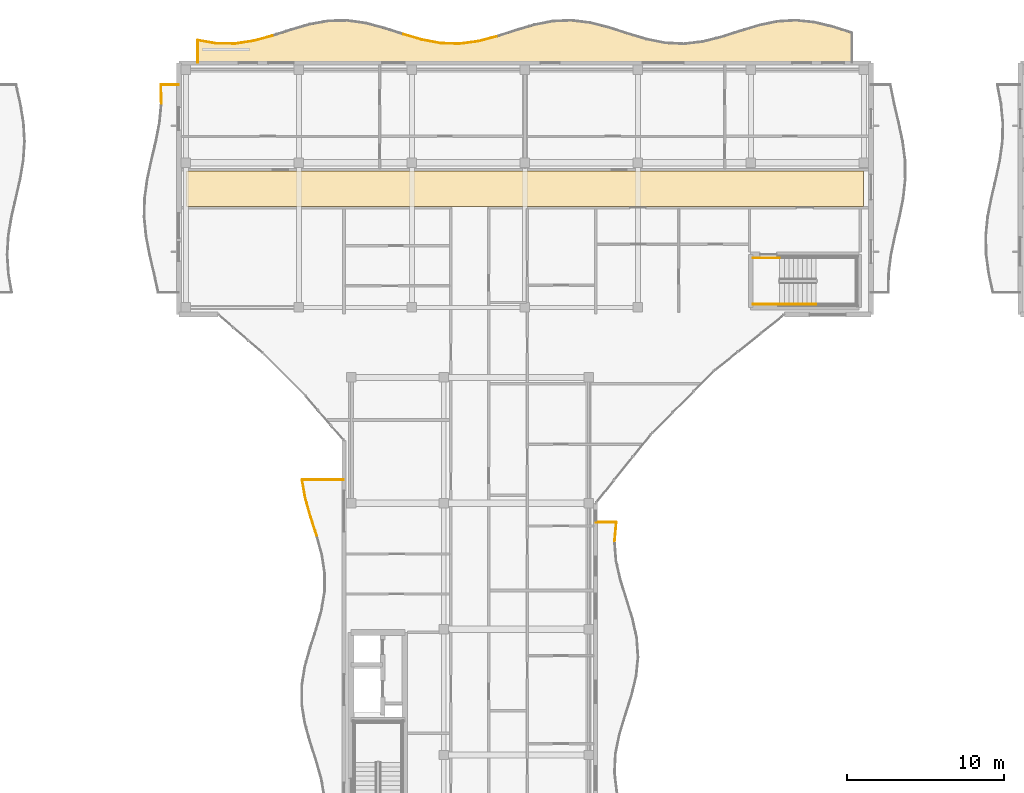
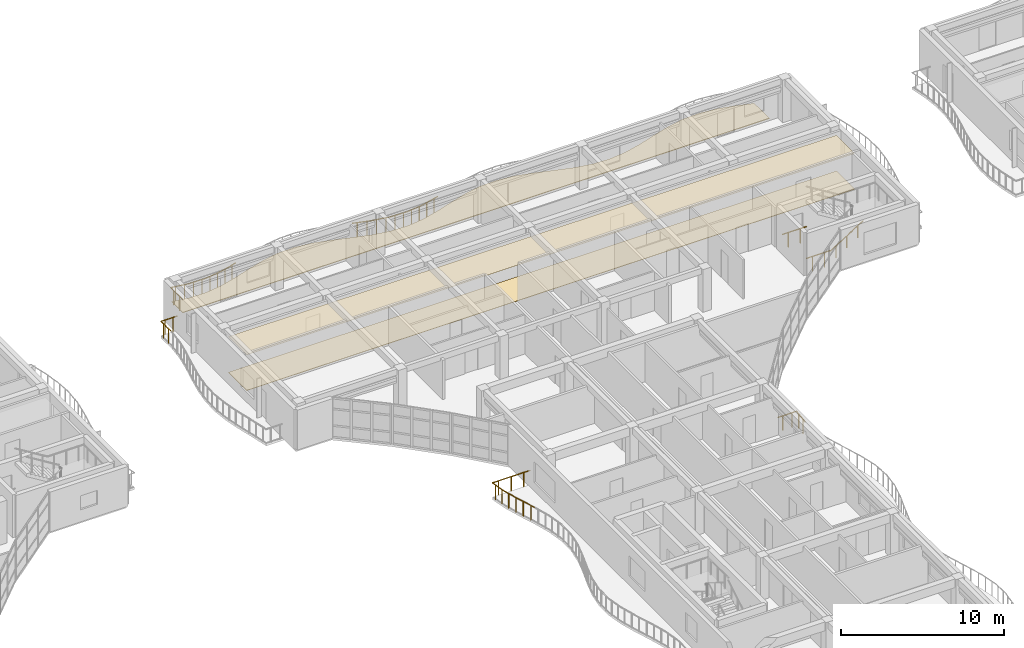
# One storey, part 66 of 76: 21 railings, 3 coverings.
"""IFC4 building model written with IfcOpenShell, lengths in metres."""

from ifc_helpers import new_model, si_unit, direction, frame, origin, origin_2d, place, context, subcontext, project, spatial, polyline, circle, outline, extrude, material, layer, layer_set, type_object, element, save


model = new_model("IFC4")

# Units and contexts
model_context = context("Model", 3, precision=1e-05, world=origin(), true_north=direction((0.0, 1.0)))
body_context = subcontext(model_context, "Body", "Model", "MODEL_VIEW")
ifc_project = project(units=[si_unit("LENGTHUNIT", "METRE"), si_unit("AREAUNIT", "SQUARE_METRE"), si_unit("VOLUMEUNIT", "CUBIC_METRE"), si_unit("PLANEANGLEUNIT", "RADIAN"), si_unit("MASSUNIT", "GRAM", prefix="KILO")], contexts=[model_context])

# Site, building, storey
site_placement = place(None, origin())
site = spatial("IfcSite", under=ifc_project, at=site_placement, CompositionType="ELEMENT")
building_placement = place(site_placement, origin())
building = spatial("IfcBuilding", under=site, at=building_placement, Name="Keldmere Railside Commons", CompositionType="ELEMENT")
storey_placement = place(building_placement, frame((0.0, 0.0, 13.760009765625)))
storey = spatial("IfcBuildingStorey", under=building, at=storey_placement, Name="L04", CompositionType="ELEMENT", Elevation=13.760009765625)

# Railings
ifc_material_1 = material(Name="Steel F-24 (S235)", Category="steel")
railing_type_1 = type_object("IfcRailingType", Name="Balcony & Terrace Steel Balustrade 1100", PredefinedType="BALUSTRADE", material=ifc_material_1)
railing_1_placement = place(storey_placement, frame((94.699951171875, 116.0, 0.0)))
element("IfcRailing", 1, at=railing_1_placement, inside=storey, type_object=railing_type_1, Name="GR-1 GRD-L04-2237", PredefinedType="BALUSTRADE", context=body_context, shape_type="SweptSolid", body=[
    extrude(circle(Radius=0.02392578125, at=origin_2d()), frame((0.0, 0.0, 1.076171875), z_axis=(0.0, 1.0, 0.0), x_axis=(-1.0, 0.0, 0.0)), (0.0, 0.0, 1.0), 1.43408203125),
    extrude(circle(Radius=0.02099609375, at=origin_2d()), frame((0.0, 0.3583984375, 0.0)), (0.0, 0.0, 1.0), 1.048095703125),
    extrude(circle(Radius=0.02099609375, at=origin_2d()), frame((0.0, 1.07568359375, 0.0)), (0.0, 0.0, 1.0), 1.048095703125),
])
railing_2_placement = place(storey_placement, frame((94.699951171875, 117.43408203125, 0.0)))
element("IfcRailing", 2, at=railing_2_placement, inside=storey, type_object=railing_type_1, Name="GR-1 GRD-L04-2238", PredefinedType="BALUSTRADE", context=body_context, shape_type="SweptSolid", body=[
    extrude(circle(Radius=0.02392578125, at=origin_2d()), frame((0.0, 0.0, 1.076171875), z_axis=(0.985880258303, -0.167451832741, 0.0), x_axis=(0.167451832741, 0.985880258303, 0.0)), (0.0, 0.0, 1.0), 1.205810546875),
    extrude(circle(Radius=0.02099609375, at=origin_2d()), frame((0.297119140625, -0.050537109375, 0.0)), (0.0, 0.0, 1.0), 1.048095703125),
    extrude(circle(Radius=0.02099609375, at=origin_2d()), frame((0.8916015625, -0.1513671875, 0.0)), (0.0, 0.0, 1.0), 1.048095703125),
])
railing_3_placement = place(storey_placement, frame((95.888671875, 117.232177734375, 0.0)))
element("IfcRailing", 3, at=railing_3_placement, inside=storey, type_object=railing_type_1, Name="GR-1 GRD-L04-2239", PredefinedType="BALUSTRADE", context=body_context, shape_type="SweptSolid", body=[
    extrude(circle(Radius=0.02392578125, at=origin_2d()), frame((0.0, 0.0, 1.076171875), z_axis=(0.999938480003, -0.011092168841, 0.0), x_axis=(0.011092168841, 0.999938480003, 0.0)), (0.0, 0.0, 1.0), 1.1884765625),
    extrude(circle(Radius=0.02099609375, at=origin_2d()), frame((0.297119140625, -0.00341796875, 0.0)), (0.0, 0.0, 1.0), 1.048095703125),
    extrude(circle(Radius=0.02099609375, at=origin_2d()), frame((0.891357421875, -0.009765625, 0.0)), (0.0, 0.0, 1.0), 1.048095703125),
])
railing_4_placement = place(storey_placement, frame((97.0771484375, 117.218994140625, 0.0)))
element("IfcRailing", 4, at=railing_4_placement, inside=storey, type_object=railing_type_1, Name="GR-1 GRD-L04-2240", PredefinedType="BALUSTRADE", context=body_context, shape_type="SweptSolid", body=[
    extrude(circle(Radius=0.02392578125, at=origin_2d()), frame((0.0, 0.0, 1.076171875), z_axis=(0.988852757822, 0.148896686829, 0.0), x_axis=(-0.148896686829, 0.988852757822, 0.0)), (0.0, 0.0, 1.0), 1.201904296875),
    extrude(circle(Radius=0.02099609375, at=origin_2d()), frame((0.297119140625, 0.044677734375, 0.0)), (0.0, 0.0, 1.0), 1.048095703125),
    extrude(circle(Radius=0.02099609375, at=origin_2d()), frame((0.891357421875, 0.13427734375, 0.0)), (0.0, 0.0, 1.0), 1.048095703125),
])
railing_5_placement = place(storey_placement, frame((98.265625, 117.39794921875, 0.0)))
element("IfcRailing", 5, at=railing_5_placement, inside=storey, type_object=railing_type_1, Name="GR-1 GRD-L04-2241", PredefinedType="BALUSTRADE", context=body_context, shape_type="SweptSolid", body=[
    extrude(circle(Radius=0.02392578125, at=origin_2d()), frame((0.0, 0.0, 1.076171875), z_axis=(0.964759248557, 0.263134171716, 0.0), x_axis=(-0.263134171716, 0.964759248557, 0.0)), (0.0, 0.0, 1.0), 1.232177734375),
    extrude(circle(Radius=0.02099609375, at=origin_2d()), frame((0.297119140625, 0.0810546875, 0.0)), (0.0, 0.0, 1.0), 1.048095703125),
    extrude(circle(Radius=0.02099609375, at=origin_2d()), frame((0.8916015625, 0.2431640625, 0.0)), (0.0, 0.0, 1.0), 1.048095703125),
])
railing_6_placement = place(storey_placement, frame((107.7744140625, 117.81591796875, 0.0)))
element("IfcRailing", 6, at=railing_6_placement, inside=storey, type_object=railing_type_1, Name="GR-1 GRD-L04-2249", PredefinedType="BALUSTRADE", context=body_context, shape_type="SweptSolid", body=[
    extrude(circle(Radius=0.02392578125, at=origin_2d()), frame((0.0, 0.0, 1.076171875), z_axis=(0.959619369608, -0.28130173386, 0.0), x_axis=(0.28130173386, 0.959619369608, 0.0)), (0.0, 0.0, 1.0), 1.238525390625),
    extrude(circle(Radius=0.02099609375, at=origin_2d()), frame((0.297119140625, -0.087158203125, 0.0)), (0.0, 0.0, 1.0), 1.048095703125),
    extrude(circle(Radius=0.02099609375, at=origin_2d()), frame((0.891357421875, -0.26123046875, 0.0)), (0.0, 0.0, 1.0), 1.048095703125),
])
railing_7_placement = place(storey_placement, frame((108.962890625, 117.467529296875, 0.0)))
element("IfcRailing", 7, at=railing_7_placement, inside=storey, type_object=railing_type_1, Name="GR-1 GRD-L04-2250", PredefinedType="BALUSTRADE", context=body_context, shape_type="SweptSolid", body=[
    extrude(circle(Radius=0.02392578125, at=origin_2d()), frame((0.0, 0.0, 1.076171875), z_axis=(0.983118223598, -0.182971468895, 0.0), x_axis=(0.182971468895, 0.983118223598, 0.0)), (0.0, 0.0, 1.0), 1.208984375),
    extrude(circle(Radius=0.02099609375, at=origin_2d()), frame((0.297119140625, -0.05517578125, 0.0)), (0.0, 0.0, 1.0), 1.048095703125),
    extrude(circle(Radius=0.02099609375, at=origin_2d()), frame((0.891357421875, -0.166015625, 0.0)), (0.0, 0.0, 1.0), 1.048095703125),
])
railing_8_placement = place(storey_placement, frame((110.1513671875, 117.246337890625, 0.0)))
element("IfcRailing", 8, at=railing_8_placement, inside=storey, type_object=railing_type_1, Name="GR-1 GRD-L04-2251", PredefinedType="BALUSTRADE", context=body_context, shape_type="SweptSolid", body=[
    extrude(circle(Radius=0.02392578125, at=origin_2d()), frame((0.0, 0.0, 1.076171875), z_axis=(0.999538349759, -0.030382352796, 0.0), x_axis=(0.030382352796, 0.999538349759, 0.0)), (0.0, 0.0, 1.0), 1.189208984375),
    extrude(circle(Radius=0.02099609375, at=origin_2d()), frame((0.297119140625, -0.009033203125, 0.0)), (0.0, 0.0, 1.0), 1.048095703125),
    extrude(circle(Radius=0.02099609375, at=origin_2d()), frame((0.8916015625, -0.027099609375, 0.0)), (0.0, 0.0, 1.0), 1.048095703125),
])
railing_9_placement = place(storey_placement, frame((111.340087890625, 117.210205078125, 0.0)))
element("IfcRailing", 9, at=railing_9_placement, inside=storey, type_object=railing_type_1, Name="GR-1 GRD-L04-2252", PredefinedType="BALUSTRADE", context=body_context, shape_type="SweptSolid", body=[
    extrude(circle(Radius=0.02392578125, at=origin_2d()), frame((0.0, 0.0, 1.076171875), z_axis=(0.99125633214, 0.131950308798, 0.0), x_axis=(-0.131950308798, 0.99125633214, 0.0)), (0.0, 0.0, 1.0), 1.198974609375),
    extrude(circle(Radius=0.02099609375, at=origin_2d()), frame((0.297119140625, 0.03955078125, 0.0)), (0.0, 0.0, 1.0), 1.048095703125),
    extrude(circle(Radius=0.02099609375, at=origin_2d()), frame((0.891357421875, 0.11865234375, 0.0)), (0.0, 0.0, 1.0), 1.048095703125),
])
railing_10_placement = place(storey_placement, frame((112.528564453125, 117.368408203125, 0.0)))
element("IfcRailing", 10, at=railing_10_placement, inside=storey, type_object=railing_type_1, Name="GR-1 GRD-L04-2253", PredefinedType="BALUSTRADE", context=body_context, shape_type="SweptSolid", body=[
    extrude(circle(Radius=0.02392578125, at=origin_2d()), frame((0.0, 0.0, 1.076171875), z_axis=(0.967369904059, 0.253368247263, 0.0), x_axis=(-0.253368247263, 0.967369904059, 0.0)), (0.0, 0.0, 1.0), 1.228515625),
    extrude(circle(Radius=0.02099609375, at=origin_2d()), frame((0.297119140625, 0.077880859375, 0.0)), (0.0, 0.0, 1.0), 1.048095703125),
    extrude(circle(Radius=0.02099609375, at=origin_2d()), frame((0.891357421875, 0.2333984375, 0.0)), (0.0, 0.0, 1.0), 1.048095703125),
])
railing_11_placement = place(storey_placement, frame((121.2001953125, 85.574951171875, 0.0)))
element("IfcRailing", 11, at=railing_11_placement, inside=storey, type_object=railing_type_1, Name="GR-1 GRD-L04-2298", PredefinedType="BALUSTRADE", context=body_context, shape_type="SweptSolid", body=[
    extrude(circle(Radius=0.02392578125, at=origin_2d()), frame((0.0, 0.0, 1.076171875), z_axis=(0.089515628414, 0.995985417699, 0.0), x_axis=(-0.995985417699, 0.089515628414, 0.0)), (0.0, 0.0, 1.0), 1.22998046875),
    extrude(circle(Radius=0.02099609375, at=origin_2d()), frame((0.027587890625, 0.30615234375, 0.0)), (0.0, 0.0, 1.0), 1.048095703125),
    extrude(circle(Radius=0.02099609375, at=origin_2d()), frame((0.08251953125, 0.9189453125, 0.0)), (0.0, 0.0, 1.0), 1.048095703125),
])
railing_12_placement = place(storey_placement, frame((121.310302734375, 86.800048828125, 0.0)))
element("IfcRailing", 12, at=railing_12_placement, inside=storey, type_object=railing_type_1, Name="GR-1 GRD-L04-2299", PredefinedType="BALUSTRADE", context=body_context, shape_type="SweptSolid", body=[
    extrude(circle(Radius=0.02392578125, at=origin_2d()), frame((0.0, 0.0, 1.076171875), z_axis=(-1.0, 0.0, 0.0), x_axis=(0.0, -1.0, 0.0)), (0.0, 0.0, 1.0), 1.310302734375),
    extrude(circle(Radius=0.02099609375, at=origin_2d()), frame((-0.32763671875, 0.0, 0.0)), (0.0, 0.0, 1.0), 1.048095703125),
    extrude(circle(Radius=0.02099609375, at=origin_2d()), frame((-0.982666015625, 0.0, 0.0)), (0.0, 0.0, 1.0), 1.048095703125),
])
railing_13_placement = place(storey_placement, frame((102.271240234375, 85.933349609375, 0.0)))
element("IfcRailing", 13, at=railing_13_placement, inside=storey, type_object=railing_type_1, Name="GR-1 GRD-L04-2325", PredefinedType="BALUSTRADE", context=body_context, shape_type="SweptSolid", body=[
    extrude(circle(Radius=0.02392578125, at=origin_2d()), frame((0.0, 0.0, 1.076171875), z_axis=(-0.307539355173, 0.951535361939, 0.0), x_axis=(-0.951535361939, -0.307539355173, 0.0)), (0.0, 0.0, 1.0), 1.24951171875),
    extrude(circle(Radius=0.02099609375, at=origin_2d()), frame((-0.09619140625, 0.29736328125, 0.0)), (0.0, 0.0, 1.0), 1.048095703125),
    extrude(circle(Radius=0.02099609375, at=origin_2d()), frame((-0.2880859375, 0.8916015625, 0.0)), (0.0, 0.0, 1.0), 1.048095703125),
])
railing_14_placement = place(storey_placement, frame((101.886962890625, 87.122314453125, 0.0)))
element("IfcRailing", 14, at=railing_14_placement, inside=storey, type_object=railing_type_1, Name="GR-1 GRD-L04-2326", PredefinedType="BALUSTRADE", context=body_context, shape_type="SweptSolid", body=[
    extrude(circle(Radius=0.02392578125, at=origin_2d()), frame((0.0, 0.0, 1.076171875), z_axis=(-0.276154724924, 0.961113192034, 0.0), x_axis=(-0.961113192034, -0.276154724924, 0.0)), (0.0, 0.0, 1.0), 1.23681640625),
    extrude(circle(Radius=0.02099609375, at=origin_2d()), frame((-0.08544921875, 0.297119140625, 0.0)), (0.0, 0.0, 1.0), 1.048095703125),
    extrude(circle(Radius=0.02099609375, at=origin_2d()), frame((-0.256103515625, 0.8916015625, 0.0)), (0.0, 0.0, 1.0), 1.048095703125),
])
railing_15_placement = place(storey_placement, frame((101.54541015625, 88.31103515625, 0.0)))
element("IfcRailing", 15, at=railing_15_placement, inside=storey, type_object=railing_type_1, Name="GR-1 GRD-L04-2327", PredefinedType="BALUSTRADE", context=body_context, shape_type="SweptSolid", body=[
    extrude(circle(Radius=0.02392578125, at=origin_2d()), frame((0.0, 0.0, 1.076171875), z_axis=(-0.172919954438, 0.984935880835, 0.0), x_axis=(-0.984935880835, -0.172919954438, 0.0)), (0.0, 0.0, 1.0), 1.20703125),
    extrude(circle(Radius=0.02099609375, at=origin_2d()), frame((-0.05224609375, 0.29736328125, 0.0)), (0.0, 0.0, 1.0), 1.048095703125),
    extrude(circle(Radius=0.02099609375, at=origin_2d()), frame((-0.156494140625, 0.8916015625, 0.0)), (0.0, 0.0, 1.0), 1.048095703125),
])
railing_16_placement = place(storey_placement, frame((101.336669921875, 89.5, 0.0)))
element("IfcRailing", 16, at=railing_16_placement, inside=storey, type_object=railing_type_1, Name="GR-1 GRD-L04-2328", PredefinedType="BALUSTRADE", context=body_context, shape_type="SweptSolid", body=[
    extrude(circle(Radius=0.02392578125, at=origin_2d()), frame((0.0, 0.0, 1.076171875), z_axis=(1.0, 0.0, 0.0), x_axis=(0.0, 1.0, 0.0)), (0.0, 0.0, 1.0), 2.663330078125),
    extrude(circle(Radius=0.02099609375, at=origin_2d()), frame((0.44384765625, 0.0, 0.0)), (0.0, 0.0, 1.0), 1.048095703125),
    extrude(circle(Radius=0.02099609375, at=origin_2d()), frame((1.33154296875, 0.0, 0.0)), (0.0, 0.0, 1.0), 1.048095703125),
    extrude(circle(Radius=0.02099609375, at=origin_2d()), frame((2.219482421875, 0.0, 0.0)), (0.0, 0.0, 1.0), 1.048095703125),
])
railing_17_placement = place(storey_placement, frame((92.39306640625, 113.39990234375, 0.0)))
element("IfcRailing", 17, at=railing_17_placement, inside=storey, type_object=railing_type_1, Name="GR-1 GRD-L04-2353", PredefinedType="BALUSTRADE", context=body_context, shape_type="SweptSolid", body=[
    extrude(circle(Radius=0.02392578125, at=origin_2d()), frame((0.0, 0.0, 1.076171875), z_axis=(-0.0241995831, 0.999707147208, 0.0), x_axis=(-0.999707147208, -0.0241995831, 0.0)), (0.0, 0.0, 1.0), 1.200439453125),
    extrude(circle(Radius=0.02099609375, at=origin_2d()), frame((-0.00732421875, 0.300048828125, 0.0)), (0.0, 0.0, 1.0), 1.048095703125),
    extrude(circle(Radius=0.02099609375, at=origin_2d()), frame((-0.021728515625, 0.900146484375, 0.0)), (0.0, 0.0, 1.0), 1.048095703125),
])
railing_18_placement = place(storey_placement, frame((92.364013671875, 114.60009765625, 0.0)))
element("IfcRailing", 18, at=railing_18_placement, inside=storey, type_object=railing_type_1, Name="GR-1 GRD-L04-2354", PredefinedType="BALUSTRADE", context=body_context, shape_type="SweptSolid", body=[
    extrude(circle(Radius=0.02392578125, at=origin_2d()), frame((0.0, 0.0, 1.076171875), z_axis=(1.0, 0.0, 0.0), x_axis=(0.0, 1.0, 0.0)), (0.0, 0.0, 1.0), 1.135986328125),
    extrude(circle(Radius=0.02099609375, at=origin_2d()), frame((0.283935546875, 0.0, 0.0)), (0.0, 0.0, 1.0), 1.048095703125),
    extrude(circle(Radius=0.02099609375, at=origin_2d()), frame((0.85205078125, 0.0, 0.0)), (0.0, 0.0, 1.0), 1.048095703125),
])

# Covering
ifc_material_2 = material(Name="Polished Terrazzo Tile Flooring", Category="concrete")
ifc_layer_1 = layer(ifc_material_2, 0.030029296875, Name="Polished Terrazzo Floor Finish 30")
ifc_layer_set_1 = layer_set([ifc_layer_1], Name="Polished Terrazzo Tile Flooring")
covering_type_1 = type_object("IfcCoveringType", Name="Polished Terrazzo Floor Finish 30", PredefinedType="FLOORING", material=ifc_layer_set_1)
covering_1_placement = place(storey_placement, origin())
element("IfcCovering", 19, at=covering_1_placement, inside=storey, type_object=covering_type_1, Name="FLR-1 Corridor Terrazzo B-L04", PredefinedType="FLOORING", context=body_context, shape_type="SweptSolid", body=[
    extrude(outline(polyline([(93.97998046875, 106.8798828125), (137.02001953125, 106.8798828125), (137.02001953125, 109.1201171875), (93.97998046875, 109.1201171875), (93.97998046875, 106.8798828125)])), origin(), (0.0, 0.0, 1.0), 0.030029296875),
])

# Railings
railing_type_2 = type_object("IfcRailingType", Name="Stair Well Steel Guardrail 1100", PredefinedType="BALUSTRADE", material=ifc_material_1)
for number, where, name in (
    (20, (130.0, 100.64990234375, 0.0), "L04 ST-B2 stair guard 8"),
    (21, (130.0, 103.60009765625, 0.0), "L04 ST-B2 stair guard 9"),
):
    element("IfcRailing", number, at=place(storey_placement, frame(where)), inside=storey, type_object=railing_type_2, Name=name, PredefinedType="BALUSTRADE", context=body_context, shape_type="SweptSolid", body=[
        extrude(circle(Radius=0.02392578125, at=origin_2d()), frame((0.0, 0.0, 1.076171875), z_axis=(1.0, 0.0, 0.0), x_axis=(0.0, 1.0, 0.0)), (0.0, 0.0, 1.0), 1.699951171875),
        extrude(circle(Radius=0.02099609375, at=origin_2d()), frame((0.425048828125, 0.0, 0.0)), (0.0, 0.0, 1.0), 1.048095703125),
        extrude(circle(Radius=0.02099609375, at=origin_2d()), frame((1.27490234375, 0.0, 0.0)), (0.0, 0.0, 1.0), 1.048095703125),
    ])

# Covering
ifc_material_3 = material(Name="Acoustic Mineral-Fibre Gypsum Ceiling", Category="gypsum")
ifc_layer_2 = layer(ifc_material_3, 0.02490234375, Name="Suspended Acoustic Ceiling 25")
ifc_layer_set_2 = layer_set([ifc_layer_2], Name="Acoustic Mineral-Fibre Gypsum Ceiling")
covering_type_2 = type_object("IfcCoveringType", Name="Suspended Acoustic Ceiling 25", PredefinedType="CEILING", material=ifc_layer_set_2)
covering_2_placement = place(storey_placement, frame((0.0, 0.0, 2.675048828125)))
element("IfcCovering", 22, at=covering_2_placement, inside=storey, type_object=covering_type_2, Name="CLG-1 Corridor Ceiling B-L04", PredefinedType="CEILING", context=body_context, shape_type="SweptSolid", body=[
    extrude(outline(polyline([(93.97998046875, 106.8798828125), (137.02001953125, 106.8798828125), (137.02001953125, 109.1201171875), (93.97998046875, 109.1201171875), (93.97998046875, 106.8798828125)])), origin(), (0.0, 0.0, 1.0), 0.02490234375),
])

# Railing
railing_type_3 = type_object("IfcRailingType", Name="Wall-Mounted Tubular Steel Handrail 900", PredefinedType="HANDRAIL", material=ifc_material_1)
railing_19_placement = place(storey_placement, frame((131.699951171875, 100.64990234375, 0.177734375)))
element("IfcRailing", 23, at=railing_19_placement, inside=storey, type_object=railing_type_3, Name="L04 ST-B2 stair handrail 1", PredefinedType="HANDRAIL", context=body_context, shape_type="SweptSolid", body=[
    extrude(circle(Radius=0.02392578125, at=origin_2d()), frame((0.0, 0.0, 0.8759765625), z_axis=(0.852538067394, 0.0, 0.522665135287), x_axis=(0.0, 1.0, 0.0)), (0.0, 0.0, 1.0), 2.721435546875),
    extrude(circle(Radius=0.02099609375, at=origin_2d()), frame((0.38671875, 0.0, 0.237060546875)), (0.0, 0.0, 1.0), 0.847900390625),
    extrude(circle(Radius=0.02099609375, at=origin_2d()), frame((1.16015625, 0.0, 0.711181640625)), (0.0, 0.0, 1.0), 0.847900390625),
    extrude(circle(Radius=0.02099609375, at=origin_2d()), frame((1.933349609375, 0.0, 1.185302734375)), (0.0, 0.0, 1.0), 0.847900390625),
])

# Covering
ifc_material_4 = material(Name="White Precast Concrete C35/45", Category="concrete")
ifc_layer_3 = layer(ifc_material_4, 0.044921875, Name="White Architectural Balcony Ribbon Cladding 45")
ifc_layer_set_3 = layer_set([ifc_layer_3], Name="White Precast Concrete C35/45")
covering_type_3 = type_object("IfcCoveringType", Name="White Architectural Balcony Ribbon Cladding 45", PredefinedType="FLOORING", material=ifc_layer_set_3)
covering_3_placement = place(storey_placement, origin())
element("IfcCovering", 24, at=covering_3_placement, inside=storey, type_object=covering_type_3, Name="CLG-WB B L04 N White Balcony Ribbon", PredefinedType="FLOORING", context=body_context, shape_type="SweptSolid", body=[
    extrude(outline(polyline([(136.260009765625, 116.0400390625), (136.260009765625, 117.87548828125), (135.1005859375, 118.243408203125), (133.916015625, 118.531982421875), (132.7333984375, 118.65771484375), (131.551025390625, 118.587646484375), (130.366943359375, 118.340087890625), (129.180419921875, 117.9794921875), (127.9921875, 117.600341796875), (127.98974609375, 117.599609375), (126.801025390625, 117.302490234375), (126.7958984375, 117.301513671875), (125.607421875, 117.164306640625), (125.604248046875, 117.1640625), (125.600830078125, 117.1640625), (124.412353515625, 117.22314453125), (124.4091796875, 117.223388671875), (124.406494140625, 117.22412109375), (123.2177734375, 117.463623046875), (123.214111328125, 117.464599609375), (122.025634765625, 117.82177734375), (122.02490234375, 117.822021484375), (120.83740234375, 118.202392578125), (119.652587890625, 118.506103515625), (118.4697265625, 118.653076171875), (117.28759765625, 118.605712890625), (116.103759765625, 118.3759765625), (114.91748046875, 118.02392578125), (113.729248046875, 117.6416015625), (113.727294921875, 117.64111328125), (112.538818359375, 117.329833984375), (112.533935546875, 117.328857421875), (111.34521484375, 117.170654296875), (111.342041015625, 117.17041015625), (111.3388671875, 117.170166015625), (110.150146484375, 117.206298828125), (110.147216796875, 117.20654296875), (110.14404296875, 117.20703125), (108.95556640625, 117.42822265625), (108.95166015625, 117.42919921875), (107.76318359375, 117.77734375), (107.761962890625, 117.777587890625), (106.574462890625, 118.160888671875), (105.38916015625, 118.477783203125), (104.206298828125, 118.645751953125), (103.02392578125, 118.62109375), (101.840576171875, 118.410400390625), (100.654541015625, 118.068115234375), (99.466552734375, 117.68408203125), (99.46484375, 117.68359375), (98.276123046875, 117.359375), (98.271728515625, 117.3583984375), (97.0830078125, 117.17919921875), (97.079833984375, 117.178955078125), (97.07666015625, 117.178955078125), (95.88818359375, 117.192138671875), (95.885009765625, 117.1923828125), (95.8818359375, 117.192626953125), (94.739990234375, 117.38671875), (94.739990234375, 116.0400390625), (136.260009765625, 116.0400390625)])), origin(), (0.0, 0.0, 1.0), 0.044921875),
])

save(model, "model.ifc")
